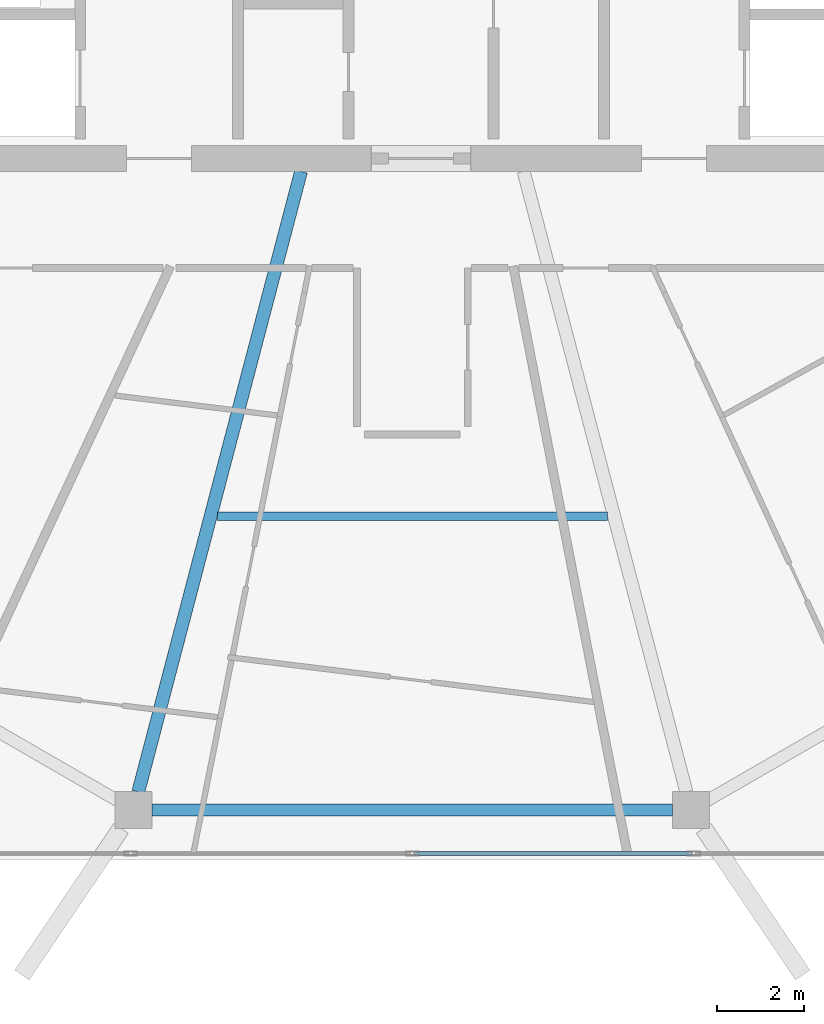
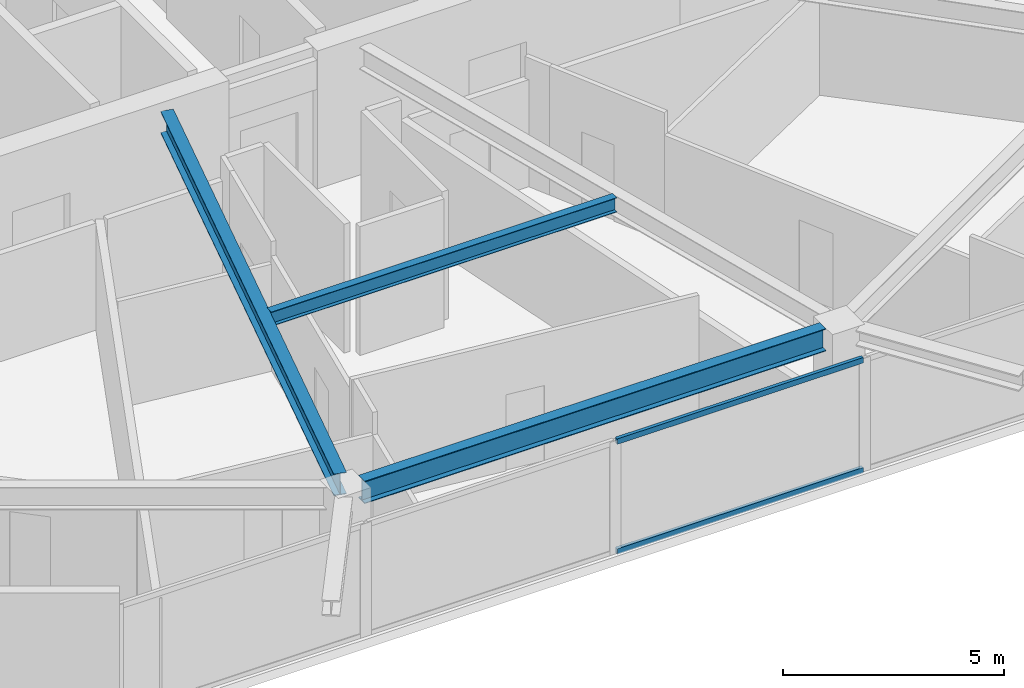
# One storey, part 4 of 26: 3 beams, 2 members, 1 element without a shape of its own.
"""IFC4 building model written with IfcOpenShell, lengths in metres."""

from ifc_helpers import new_model, si_unit, direction, frame, origin, origin_2d, place, context, subcontext, project, spatial, hollow_rectangle, i_section, extrude, material, material_profile, profile_set, type_object, element, aggregate, save


model = new_model("IFC4")

# Units and contexts
model_context = context("Model", 3, precision=1e-05, world=origin(), true_north=direction((0.0, 1.0)))
body_context = subcontext(model_context, "Body", "Model", "MODEL_VIEW")
ifc_project = project(units=[si_unit("LENGTHUNIT", "METRE"), si_unit("AREAUNIT", "SQUARE_METRE"), si_unit("VOLUMEUNIT", "CUBIC_METRE"), si_unit("PLANEANGLEUNIT", "RADIAN"), si_unit("MASSUNIT", "GRAM", prefix="KILO")], contexts=[model_context])

# Site, building, storey
site_placement = place(None, origin())
site = spatial("IfcSite", under=ifc_project, at=site_placement, CompositionType="ELEMENT")
building_placement = place(site_placement, origin())
building = spatial("IfcBuilding", under=site, at=building_placement, Name="Zuhravey Tower", CompositionType="ELEMENT")
storey_placement = place(building_placement, frame((0.0, 0.0, 273.0)))
storey = spatial("IfcBuildingStorey", under=building, at=storey_placement, Name="L69", CompositionType="ELEMENT", Elevation=273.0)

# Curtain wall, members
ifc_material_1 = material(Name="Thermally broken anodised aluminium", Category="aluminium")
curtain_wall_type = type_object("IfcCurtainWallType", Name="Zone 3-4 High-Rise Curtain Wall CW4", PredefinedType="NOTDEFINED", material=ifc_material_1)
curtain_wall_placement = place(storey_placement, origin())
curtain_wall = element("IfcCurtainWall", 1, at=curtain_wall_placement, inside=storey, type_object=curtain_wall_type, Name="L69 CW4 CW-L69-F5-1", PredefinedType="NOTDEFINED")
ifc_material_2 = material(Name="Anodised aluminium", Category="aluminium")
ifc_material_profile_1 = material_profile(ifc_material_2, hollow_rectangle(XDim=0.090087890625, YDim=0.14990234375, WallThickness=0.0048828125, at=origin_2d()), Name="ALU-RHS-90x150x5")
ifc_profile_set_1 = profile_set([ifc_material_profile_1], Name="Anodised aluminium")
member_type = type_object("IfcMemberType", Name="Curtain-Wall Transom 90x150", PredefinedType="USERDEFINED", material=ifc_profile_set_1)
member_1_placement = place(storey_placement, frame((42.46142578125, 6.436279296875, 0.044921875), z_axis=(-1.0, 0.0, 0.0), x_axis=(0.0, -1.0, 0.0)))
member_1 = element("IfcMember", 2, at=member_1_placement, type_object=member_type, Name="CW4 transom 2.1", ObjectType="TRANSOM", PredefinedType="USERDEFINED", context=body_context, shape_type="SweptSolid", body=[
    extrude(hollow_rectangle(XDim=0.090087890625, YDim=0.14990234375, WallThickness=0.0048828125, at=origin_2d()), origin(), (0.0, 0.0, 1.0), 6.41650390625),
])
member_2_placement = place(storey_placement, frame((42.46142578125, 6.436279296875, 3.076904296875), z_axis=(-1.0, 0.0, 0.0), x_axis=(0.0, -1.0, 0.0)))
member_2 = element("IfcMember", 3, at=member_2_placement, type_object=member_type, Name="CW4 transom 2.2", ObjectType="TRANSOM", PredefinedType="USERDEFINED", context=body_context, shape_type="SweptSolid", body=[
    extrude(hollow_rectangle(XDim=0.090087890625, YDim=0.14990234375, WallThickness=0.0048828125, at=origin_2d()), origin(), (0.0, 0.0, 1.0), 6.41650390625),
])
aggregate(curtain_wall, [member_1, member_2])

# Beams
ifc_material_3 = material(Name="Steel SM355", Category="steel")
ifc_material_profile_2 = material_profile(ifc_material_3, i_section(OverallWidth=0.280029296875, OverallDepth=0.6201171875, WebThickness=0.011962890625, FlangeThickness=0.02001953125, at=origin_2d()), Name="H-620x280x12x20")
ifc_profile_set_2 = profile_set([ifc_material_profile_2], Name="Steel SM355")
beam_type_1 = type_object("IfcBeamType", Name="Perimeter Ring Beam H620x280", PredefinedType="BEAM", material=ifc_profile_set_2)
beam_1_placement = place(storey_placement, frame((29.987060546875, 7.4462890625, 3.239990234375), z_axis=(1.0, 0.0, 0.0), x_axis=(0.0, 1.0, 0.0)))
element("IfcBeam", 4, at=beam_1_placement, inside=storey, type_object=beam_type_1, Name="L69 PB3 BM-L69-PB-09", PredefinedType="BEAM", context=body_context, shape_type="SweptSolid", body=[
    extrude(i_section(OverallWidth=0.280029296875, OverallDepth=0.6201171875, WebThickness=0.011962890625, FlangeThickness=0.02001953125, at=origin_2d()), origin(), (0.0, 0.0, 1.0), 12.02587890625),
])
ifc_material_profile_3 = material_profile(ifc_material_3, i_section(OverallWidth=0.300048828125, OverallDepth=0.60009765625, WebThickness=0.011962890625, FlangeThickness=0.02001953125, at=origin_2d()), Name="H-600x300x12x20")
ifc_profile_set_3 = profile_set([ifc_material_profile_3], Name="Steel SM355")
beam_type_2 = type_object("IfcBeamType", Name="Radial Primary Girder H600x300", PredefinedType="BEAM", material=ifc_profile_set_3)
beam_2_placement = place(storey_placement, frame((33.428466796875, 22.197021484375, 3.25), z_axis=(-0.25373188956, -0.967274587809, 0.0), x_axis=(0.967274587809, -0.25373188956, 0.0)))
element("IfcBeam", 5, at=beam_2_placement, inside=storey, type_object=beam_type_2, Name="L69 RG3 BM-L69-RAD-09", PredefinedType="BEAM", context=body_context, shape_type="SweptSolid", body=[
    extrude(i_section(OverallWidth=0.300048828125, OverallDepth=0.60009765625, WebThickness=0.011962890625, FlangeThickness=0.02001953125, at=origin_2d()), origin(), (0.0, 0.0, 1.0), 14.82177734375),
])
ifc_material_profile_4 = material_profile(ifc_material_3, i_section(OverallWidth=0.199951171875, OverallDepth=0.39990234375, WebThickness=0.008056640625, FlangeThickness=0.012939453125, at=origin_2d()), Name="H-400x200x8x13")
ifc_profile_set_4 = profile_set([ifc_material_profile_4], Name="Steel SM355")
beam_type_3 = type_object("IfcBeamType", Name="Secondary Floor Joist H400x200", PredefinedType="JOIST", material=ifc_profile_set_4)
beam_3_placement = place(storey_placement, frame((31.492919921875, 14.231689453125, 3.35009765625), z_axis=(1.0, 0.0, 0.0), x_axis=(0.0, 1.0, 0.0)))
element("IfcBeam", 6, at=beam_3_placement, inside=storey, type_object=beam_type_3, Name="L69 SJ2 BM-L69-SJ-09-1", PredefinedType="JOIST", context=body_context, shape_type="SweptSolid", body=[
    extrude(i_section(OverallWidth=0.199951171875, OverallDepth=0.39990234375, WebThickness=0.008056640625, FlangeThickness=0.012939453125, at=origin_2d()), origin(), (0.0, 0.0, 1.0), 9.01416015625),
])

save(model, "model.ifc")
